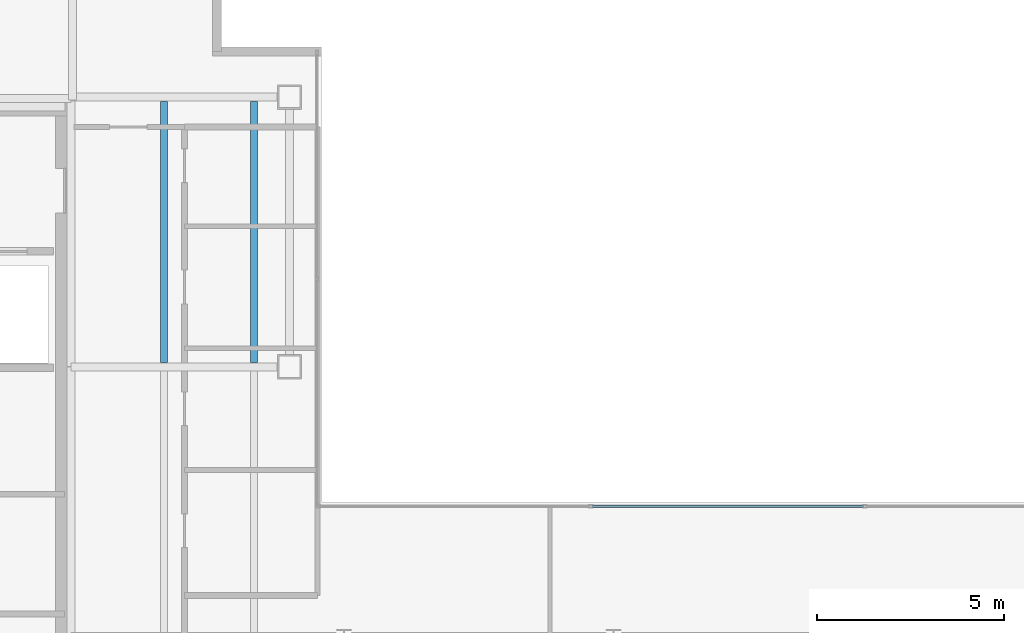
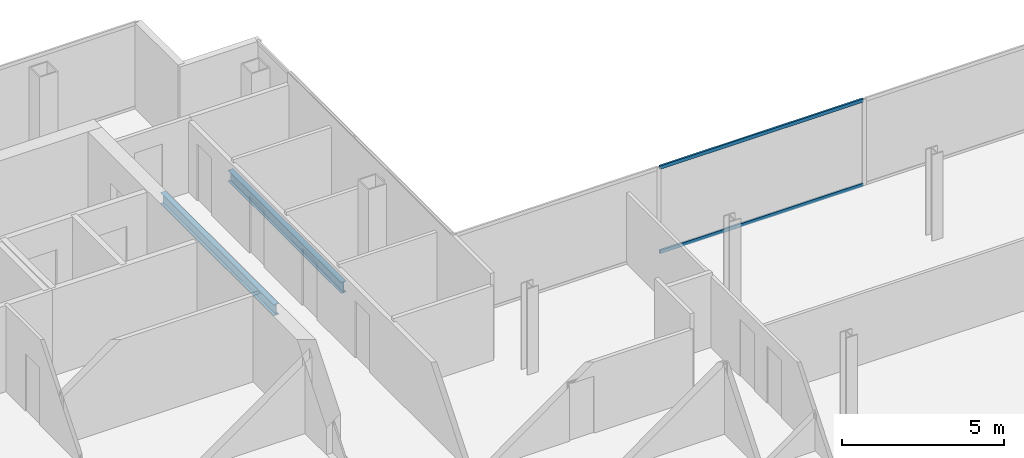
# One storey, part 10 of 23: 2 beams, 2 members, 1 element without a shape of its own.
"""IFC4 building model written with IfcOpenShell, lengths in metres."""

from ifc_helpers import new_model, si_unit, direction, frame, origin, origin_2d, place, context, subcontext, project, spatial, hollow_rectangle, i_section, extrude, material, material_profile, profile_set, type_object, element, aggregate, save


model = new_model("IFC4")

# Units and contexts
model_context = context("Model", 3, precision=1e-05, world=origin(), true_north=direction((0.0, 1.0)))
body_context = subcontext(model_context, "Body", "Model", "MODEL_VIEW")
ifc_project = project(units=[si_unit("LENGTHUNIT", "METRE"), si_unit("AREAUNIT", "SQUARE_METRE"), si_unit("VOLUMEUNIT", "CUBIC_METRE"), si_unit("PLANEANGLEUNIT", "RADIAN"), si_unit("MASSUNIT", "GRAM", prefix="KILO")], contexts=[model_context])

# Site, building, storey
site_placement = place(None, origin())
site = spatial("IfcSite", under=ifc_project, at=site_placement, CompositionType="ELEMENT")
building_placement = place(site_placement, origin())
building = spatial("IfcBuilding", under=site, at=building_placement, Name="Cobrela Telecom Tower", CompositionType="ELEMENT")
storey_placement = place(building_placement, frame((0.0, 0.0, 283.14990234375)))
storey = spatial("IfcBuildingStorey", under=building, at=storey_placement, Name="L74", CompositionType="ELEMENT", Elevation=283.14990234375)

# Beams
ifc_material_1 = material(Name="Steel ASTM A992 Grade 50", Category="steel")
ifc_material_profile_1 = material_profile(ifc_material_1, i_section(OverallWidth=0.179931640625, OverallDepth=0.4169921875, WebThickness=0.010986328125, FlangeThickness=0.01806640625, FilletRadius=0.011962890625, at=origin_2d()), Name="W16X57")
ifc_profile_set_1 = profile_set([ifc_material_profile_1], Name="Steel ASTM A992 Grade 50")
beam_type = type_object("IfcBeamType", Name="BM-JOIST-04", PredefinedType="JOIST", material=ifc_profile_set_1)
for number, where, z_axis, x_axis, name in (
    (1, (16.800048828125, 28.91162109375, -0.468505859375), (0.0, 1.0, 0.0), (-1.0, 0.0, 0.0), "L74 Secondary Composite Floor Beam J03"),
    (2, (19.199951171875, 28.91162109375, -0.468505859375), (0.0, 1.0, 0.0), (-1.0, 0.0, 0.0), "L74 Secondary Composite Floor Beam J06"),
):
    element("IfcBeam", number, at=place(storey_placement, frame(where, z_axis=z_axis, x_axis=x_axis)), inside=storey, type_object=beam_type, Name=name, PredefinedType="JOIST", context=body_context, shape_type="SweptSolid", body=[
        extrude(i_section(OverallWidth=0.179931640625, OverallDepth=0.4169921875, WebThickness=0.010986328125, FlangeThickness=0.01806640625, FilletRadius=0.011962890625, at=origin_2d()), origin(), (0.0, 0.0, 1.0), 6.976806640625),
    ])

# Curtain wall, members
ifc_material_2 = material(Name="Anodized Bronze Aluminium 6063-T6", Category="aluminium")
curtain_wall_type = type_object("IfcCurtainWallType", Name="CW-SYS-OFF-HI", PredefinedType="USERDEFINED", material=ifc_material_2)
curtain_wall_placement = place(storey_placement, origin())
curtain_wall = element("IfcCurtainWall", 3, at=curtain_wall_placement, inside=storey, type_object=curtain_wall_type, Name="L74 Unitised Bronze Curtain Wall 09", ObjectType="UNITISED CURTAIN WALL", PredefinedType="USERDEFINED")
ifc_material_profile_2 = material_profile(ifc_material_2, hollow_rectangle(XDim=0.06494140625, YDim=0.1298828125, WallThickness=0.00390625, at=origin_2d()), Name="ALU 65x130x4")
ifc_profile_set_2 = profile_set([ifc_material_profile_2], Name="Anodized Bronze Aluminium 6063-T6")
member_type = type_object("IfcMemberType", Name="CW-SYS-OFF-HI-TRN", PredefinedType="USERDEFINED", material=ifc_profile_set_2)
member_1_placement = place(storey_placement, frame((28.22509765625, 25.080078125, 0.03271484375), z_axis=(1.0, 0.0, 0.0), x_axis=(0.0, 1.0, 0.0)))
member_1 = element("IfcMember", 4, at=member_1_placement, type_object=member_type, Name="CW-OFF-HI transom 2.1", ObjectType="TRANSOM", PredefinedType="USERDEFINED", context=body_context, shape_type="SweptSolid", body=[
    extrude(hollow_rectangle(XDim=0.06494140625, YDim=0.1298828125, WallThickness=0.00390625, at=origin_2d()), origin(), (0.0, 0.0, 1.0), 7.239990234375),
])
member_2_placement = place(storey_placement, frame((28.22509765625, 25.080078125, 3.20751953125), z_axis=(1.0, 0.0, 0.0), x_axis=(0.0, 1.0, 0.0)))
member_2 = element("IfcMember", 5, at=member_2_placement, type_object=member_type, Name="CW-OFF-HI transom 2.2", ObjectType="TRANSOM", PredefinedType="USERDEFINED", context=body_context, shape_type="SweptSolid", body=[
    extrude(hollow_rectangle(XDim=0.06494140625, YDim=0.1298828125, WallThickness=0.00390625, at=origin_2d()), origin(), (0.0, 0.0, 1.0), 7.239990234375),
])
aggregate(curtain_wall, [member_1, member_2])

save(model, "model.ifc")
